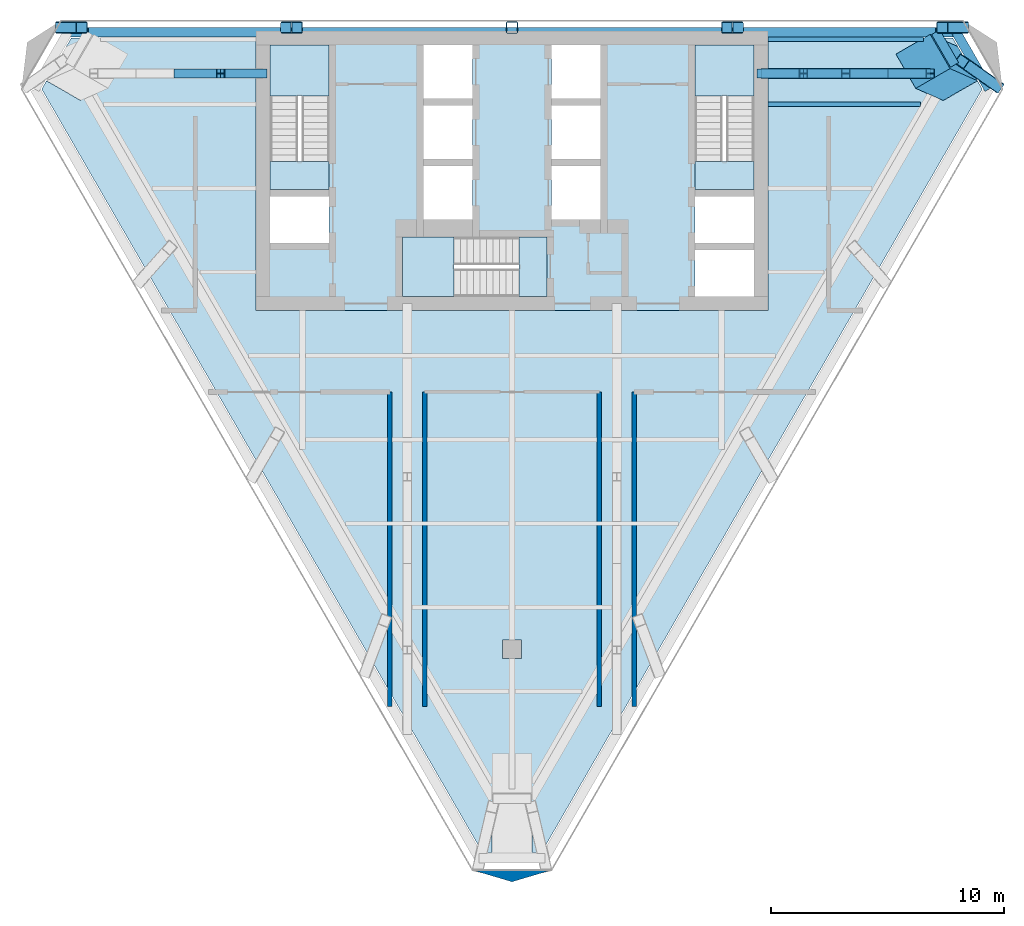
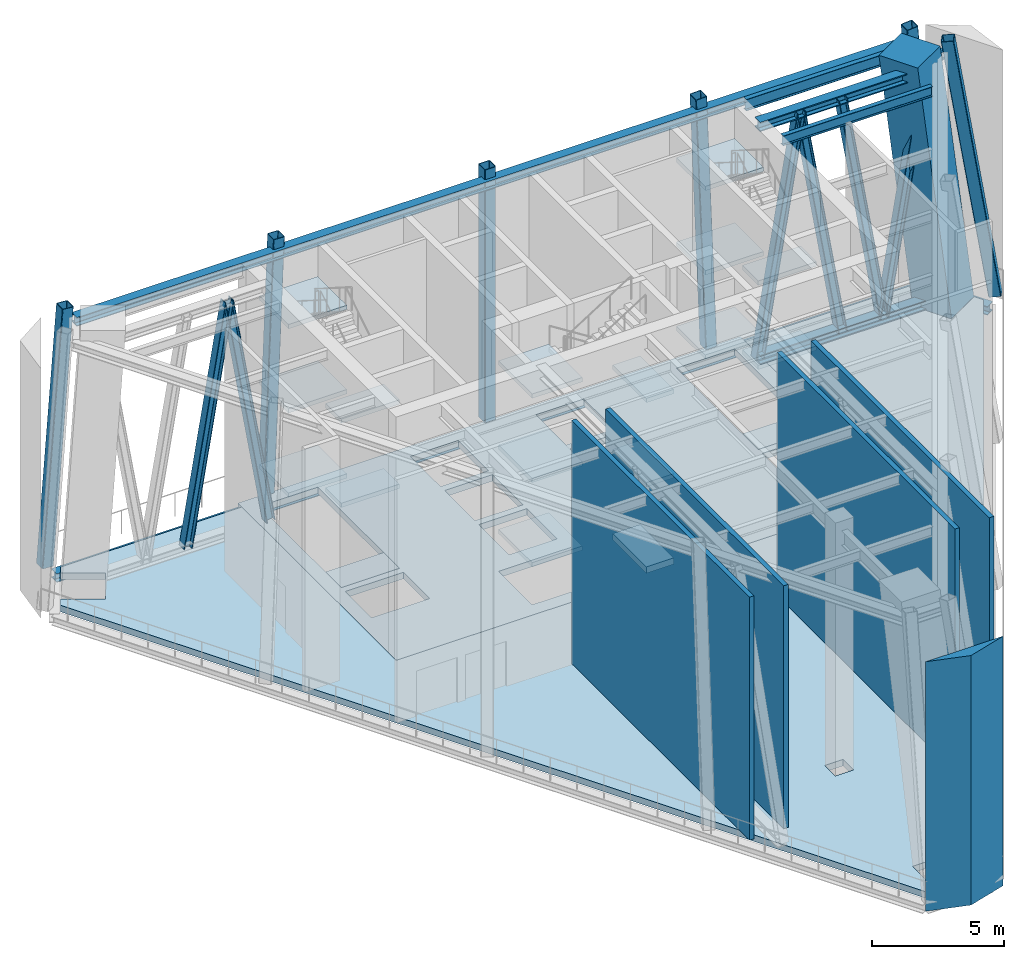
# One storey, part 2 of 11: 20 slabs, 13 members, 8 beams, 5 walls, 3 elements without a shape of their own.
"""IFC4 building model written with IfcOpenShell, lengths in metres."""

import ifcopenshell
import ifcopenshell.guid

model = None  # the IFC model being written
_history = None  # IfcOwnerHistory: only IFC2X3 demands one
_inside = {}  # id of a spatial element -> (the spatial element, [elements in it])
_under = {}  # id of a project, library or spatial element -> (it, [spatial elements below it])
_declared = {}  # id of a project -> (the project, [libraries it declares])
_typed = {}  # id of a type object -> (the type object, [elements of that type])
_made_of = {}  # id of a material, layer set ... -> (it, [elements and type objects made of it])


def new_model(schema):
    """Start an empty IFC model of exactly this schema.

    Asked for "IFC4X3", IfcOpenShell would pick the latest addendum, in which some entities
    have other attributes; the version numbers below select the first issue.
    IFC2X3 requires an IfcOwnerHistory on every rooted entity: one is made here for all.
    """
    global model, _history
    if schema == "IFC4X3":
        model = ifcopenshell.file(schema_version=(4, 3, 0, 0))
    else:
        model = ifcopenshell.file(schema=schema)
    _inside.clear()
    _under.clear()
    _declared.clear()
    _typed.clear()
    _made_of.clear()
    _history = None
    if model.schema == "IFC2X3":
        org = make("IfcOrganization", Name="unknown")
        user = make(
            "IfcPersonAndOrganization",
            ThePerson=make("IfcPerson", FamilyName="unknown"),
            TheOrganization=org,
        )
        app = make(
            "IfcApplication",
            ApplicationDeveloper=org,
            Version="unknown",
            ApplicationFullName="unknown",
            ApplicationIdentifier="unknown",
        )
        _history = make(
            "IfcOwnerHistory",
            OwningUser=user,
            OwningApplication=app,
            ChangeAction="ADDED",
            CreationDate=0,
        )
    return model


def make(cls, **values):
    """One entity of the class cls with the attributes given. An attribute that is None is left unset."""
    return model.create_entity(
        cls, **{name: value for name, value in values.items() if value is not None}
    )


def rooted(cls, **values):
    """An entity with a GlobalId (a new one), such as an element, a storey or a relation."""
    return make(cls, GlobalId=ifcopenshell.guid.new(), OwnerHistory=_history, **values)


def si_unit(unit_type, name, prefix=None):
    """IfcSIUnit, for example si_unit("LENGTHUNIT", "METRE", prefix="MILLI")."""
    return make("IfcSIUnit", UnitType=unit_type, Prefix=prefix, Name=name)


def assignment(units):
    """IfcUnitAssignment: the units of a project."""
    return None if units is None else make("IfcUnitAssignment", Units=units)


def point(xyz):
    """IfcCartesianPoint."""
    return None if xyz is None else make("IfcCartesianPoint", Coordinates=xyz)


def direction(xyz):
    """IfcDirection."""
    return None if xyz is None else make("IfcDirection", DirectionRatios=xyz)


def frame(location, z_axis=None, x_axis=None):
    """IfcAxis2Placement3D, a coordinate frame: its origin and axes. An axis left out is left unset."""
    return make(
        "IfcAxis2Placement3D",
        Location=point(location),
        Axis=direction(z_axis),
        RefDirection=direction(x_axis),
    )


def frame_2d(location, x_axis=None):
    """IfcAxis2Placement2D, a coordinate frame in the plane: its origin and x axis."""
    return make(
        "IfcAxis2Placement2D", Location=point(location), RefDirection=direction(x_axis)
    )


def origin():
    """The frame at (0, 0, 0) with its axes left unset."""
    return frame((0.0, 0.0, 0.0))


def origin_2d():
    """The frame at (0, 0) in the plane with its x axis left unset."""
    return frame_2d((0.0, 0.0))


def place(relative_to, where):
    """IfcLocalPlacement: puts the frame where relative to a parent placement (None: the world)."""
    return make(
        "IfcLocalPlacement", PlacementRelTo=relative_to, RelativePlacement=where
    )


def context(
    kind, dimensions, precision=None, world=None, true_north=None, identifier=None
):
    """IfcGeometricRepresentationContext, for example the 3D "Model" context."""
    return make(
        "IfcGeometricRepresentationContext",
        ContextIdentifier=identifier,
        ContextType=kind,
        CoordinateSpaceDimension=dimensions,
        Precision=precision,
        WorldCoordinateSystem=world,
        TrueNorth=true_north,
    )


def subcontext(parent, identifier, kind, view, scale=None):
    """IfcGeometricRepresentationSubContext, for example "Body" below "Model"."""
    return make(
        "IfcGeometricRepresentationSubContext",
        ContextIdentifier=identifier,
        ContextType=kind,
        ParentContext=parent,
        TargetScale=scale,
        TargetView=view,
    )


def project(units=None, contexts=None):
    """IfcProject with its units and contexts."""
    return rooted(
        "IfcProject",
        Name="project",
        RepresentationContexts=contexts,
        UnitsInContext=assignment(units),
    )


def spatial(cls, under=None, at=None, **own):
    """A site, building, storey or space (cls), placed at a placement, below another one or the project."""
    s = rooted(cls, ObjectPlacement=at, **own)
    if under is not None:
        _under.setdefault(under.id(), (under, []))[1].append(s)
    return s


def polyline(points):
    """IfcPolyline through the points."""
    return make("IfcPolyline", Points=[point(p) for p in points])


def profile(cls, at=None, kind="AREA", **sizes):
    """A parametric profile (cls). Its sizes go by their IFC names, for example OverallWidth=200.0."""
    return make(cls, ProfileType=kind, Position=at, **sizes)


def rectangle(**sizes):
    """IfcRectangleProfileDef."""
    return profile("IfcRectangleProfileDef", **sizes)


def hollow_rectangle(**sizes):
    """IfcRectangleHollowProfileDef."""
    return profile("IfcRectangleHollowProfileDef", **sizes)


def i_section(**sizes):
    """IfcIShapeProfileDef."""
    return profile("IfcIShapeProfileDef", **sizes)


def outline(outer, holes=None, kind="AREA"):
    """IfcArbitraryClosedProfileDef: a profile drawn as a closed curve; with holes, ...WithVoids."""
    if holes is None:
        return make("IfcArbitraryClosedProfileDef", ProfileType=kind, OuterCurve=outer)
    return make(
        "IfcArbitraryProfileDefWithVoids",
        ProfileType=kind,
        OuterCurve=outer,
        InnerCurves=holes,
    )


def extrude(swept, where, along, depth):
    """IfcExtrudedAreaSolid: the profile swept, set in the frame where, extruded along a direction by depth."""
    return make(
        "IfcExtrudedAreaSolid",
        SweptArea=swept,
        Position=where,
        ExtrudedDirection=direction(along),
        Depth=depth,
    )


def shape(context_of_items, identifier, shape_type, items):
    """IfcShapeRepresentation: the items that make up one representation, for example the "Body"."""
    return make(
        "IfcShapeRepresentation",
        ContextOfItems=context_of_items,
        RepresentationIdentifier=identifier,
        RepresentationType=shape_type,
        Items=items,
    )


def material(Name=None, Category=None):
    """IfcMaterial."""
    return make("IfcMaterial", Name=Name, Category=Category)


def layer(
    of_material, thickness, ventilated=None, Name=None, Category=None, Priority=None
):
    """IfcMaterialLayer: one layer of a wall or slab, of a material (None: an air gap)."""
    return make(
        "IfcMaterialLayer",
        Material=of_material,
        LayerThickness=thickness,
        IsVentilated=ventilated,
        Name=Name,
        Category=Category,
        Priority=Priority,
    )


def layer_set(layers, Name=None):
    """IfcMaterialLayerSet."""
    return make("IfcMaterialLayerSet", MaterialLayers=layers, LayerSetName=Name)


def material_profile(
    of_material, cross_section, Name=None, Category=None, Priority=None
):
    """IfcMaterialProfile: a cross section and its material."""
    return make(
        "IfcMaterialProfile",
        Name=Name,
        Material=of_material,
        Profile=cross_section,
        Priority=Priority,
        Category=Category,
    )


def profile_set(profiles, Name=None, composite=None):
    """IfcMaterialProfileSet."""
    return make(
        "IfcMaterialProfileSet",
        Name=Name,
        MaterialProfiles=profiles,
        CompositeProfile=composite,
    )


def made_of(thing, what):
    """Note that an element or type object is made of a material, layer set ...; save() writes the relation."""
    if what is not None:
        _made_of.setdefault(what.id(), (what, []))[1].append(thing)
    return thing


def type_object(cls, material=None, **own):
    """A type object (cls), such as IfcWallType, which elements share."""
    return made_of(rooted(cls, **own), material)


def element(
    cls,
    number,
    at=None,
    inside=None,
    cuts=None,
    type_object=None,
    material=None,
    context=None,
    identifier="Body",
    shape_type=None,
    held_by="IfcProductDefinitionShape",
    body=None,
    shapes=None,
    **own,
):
    """One element of the class cls, such as IfcWall. Its Tag is "e" and its number.

    at: its placement. inside: the storey or other place that contains it. cuts: it is an
    opening in that element (IfcRelVoidsElement). A single representation is given by context,
    identifier, shape_type and body (its items); several are given by shapes. held_by: the class
    of the entity that holds the representations. save() writes the other relations.
    """
    e = rooted(cls, Tag="e%d" % number, ObjectPlacement=at, **own)
    if body is not None:
        shapes = [shape(context, identifier, shape_type, body)]
    if shapes is not None:
        e.Representation = make(held_by, Representations=shapes)
    if inside is not None:
        _inside.setdefault(inside.id(), (inside, []))[1].append(e)
    if cuts is not None:
        rooted(
            "IfcRelVoidsElement", RelatingBuildingElement=cuts, RelatedOpeningElement=e
        )
    if type_object is not None:
        _typed.setdefault(type_object.id(), (type_object, []))[1].append(e)
    return made_of(e, material)


def aggregate(whole, parts):
    """IfcRelAggregates: a whole, such as a stair, and the parts it consists of."""
    return rooted("IfcRelAggregates", RelatingObject=whole, RelatedObjects=parts)


def save(model, path):
    """Write the relations noted so far, then the file.

    IfcRelAggregates (storeys below a building ...), IfcRelContainedInSpatialStructure (elements
    in a storey), IfcRelDefinesByType, IfcRelAssociatesMaterial and IfcRelDeclares: one each for
    every whole, place, type object, material and project.
    """
    for whole, parts in _under.values():
        aggregate(whole, parts)
    for where, things in _inside.values():
        rooted(
            "IfcRelContainedInSpatialStructure",
            RelatedElements=things,
            RelatingStructure=where,
        )
    for kind, things in _typed.values():
        rooted("IfcRelDefinesByType", RelatedObjects=things, RelatingType=kind)
    for what, things in _made_of.values():
        rooted("IfcRelAssociatesMaterial", RelatedObjects=things, RelatingMaterial=what)
    for by, libraries in _declared.values():
        rooted("IfcRelDeclares", RelatingContext=by, RelatedDefinitions=libraries)
    model.write(path)


model = new_model("IFC4")

# Units and contexts
model_context = context("Model", 3, precision=1e-05, world=origin(), true_north=direction((0.0, 1.0)))
body_context = subcontext(model_context, "Body", "Model", "MODEL_VIEW")
ifc_project = project(units=[si_unit("LENGTHUNIT", "METRE"), si_unit("AREAUNIT", "SQUARE_METRE"), si_unit("VOLUMEUNIT", "CUBIC_METRE"), si_unit("PLANEANGLEUNIT", "RADIAN"), si_unit("MASSUNIT", "GRAM", prefix="KILO")], contexts=[model_context])

# Site, building, storey
site_placement = place(None, origin())
site = spatial("IfcSite", under=ifc_project, at=site_placement, CompositionType="ELEMENT")
building_placement = place(site_placement, origin())
building = spatial("IfcBuilding", under=site, at=building_placement, Name="Aloe Facet Convention Tower", CompositionType="ELEMENT")
storey_placement = place(building_placement, frame((0.0, 0.0, 227.0)))
storey = spatial("IfcBuildingStorey", under=building, at=storey_placement, Name="L57", CompositionType="ELEMENT", Elevation=227.0)

# Beams
ifc_material_1 = material(Name="Steel S355", Category="steel")
ifc_material_profile_1 = material_profile(ifc_material_1, i_section(OverallWidth=0.19140625, OverallDepth=0.4599609375, WebThickness=0.010009765625, FlangeThickness=0.01611328125, FilletRadius=0.01025390625, at=origin_2d()), Name="UB 457x191x82")
ifc_profile_set_1 = profile_set([ifc_material_profile_1], Name="Steel S355")
beam_type_1 = type_object("IfcBeamType", Name="SF-B-UB457x191x82", PredefinedType="BEAM", material=ifc_profile_set_1)
beam_1_placement = place(storey_placement, frame((91.0, 131.39990234375, 11.02001953125), z_axis=(1.0, 0.0, 0.0), x_axis=(0.0, 1.0, 0.0)))
element("IfcBeam", 1, at=beam_1_placement, inside=storey, type_object=beam_type_1, Name="Floor beam FB-Z5A-026", PredefinedType="BEAM", context=body_context, shape_type="SweptSolid", body=[
    extrude(i_section(OverallWidth=0.19140625, OverallDepth=0.4599609375, WebThickness=0.010009765625, FlangeThickness=0.01611328125, FilletRadius=0.01025390625, at=origin_2d()), origin(), (0.0, 0.0, 1.0), 6.547607421875),
])
ifc_material_2 = material(Name="Steel S355", Category="steel")
ifc_material_profile_2 = material_profile(ifc_material_2, i_section(OverallWidth=0.209228515625, OverallDepth=0.533203125, WebThickness=0.010009765625, FlangeThickness=0.015625, FilletRadius=0.0126953125, at=origin_2d()), Name="UB 533x210x92")
ifc_profile_set_2 = profile_set([ifc_material_profile_2], Name="Steel S355")
beam_type_2 = type_object("IfcBeamType", Name="SF-B-UB533x210x92", PredefinedType="BEAM", material=ifc_profile_set_2)
beam_2_placement = place(storey_placement, frame((91.0, 134.1953125, 10.9833984375), z_axis=(1.0, 0.0, 0.0), x_axis=(0.0, 1.0, 0.0)))
element("IfcBeam", 2, at=beam_2_placement, inside=storey, type_object=beam_type_2, Name="Floor beam FB-Z5A-003", PredefinedType="BEAM", context=body_context, shape_type="SweptSolid", body=[
    extrude(i_section(OverallWidth=0.209228515625, OverallDepth=0.533203125, WebThickness=0.010009765625, FlangeThickness=0.015625, FilletRadius=0.0126953125, at=origin_2d()), origin(), (0.0, 0.0, 1.0), 6.67236328125),
])
ifc_material_3 = material(Name="Steel S355", Category="steel")
ifc_material_profile_3 = material_profile(ifc_material_3, i_section(OverallWidth=0.403076171875, OverallDepth=0.406494140625, WebThickness=0.0205078125, FlangeThickness=0.032958984375, FilletRadius=0.01513671875, at=origin_2d()), Name="UC 356x406x340")
ifc_profile_set_3 = profile_set([ifc_material_profile_3], Name="Steel S355")
beam_type_3 = type_object("IfcBeamType", Name="STW-BC-L57", PredefinedType="BEAM", material=ifc_profile_set_3)
beam_3_placement = place(storey_placement, frame((99.075927734375, 134.5, -0.503173828125), z_axis=(0.499999465141, -0.866025712585, 0.0), x_axis=(0.866025712585, 0.499999465141, 0.0)))
element("IfcBeam", 3, at=beam_3_placement, inside=storey, type_object=beam_type_3, Name="Belt chord BC-L57-L-01", PredefinedType="BEAM", context=body_context, shape_type="SweptSolid", body=[
    extrude(i_section(OverallWidth=0.403076171875, OverallDepth=0.406494140625, WebThickness=0.0205078125, FlangeThickness=0.032958984375, FilletRadius=0.01513671875, at=origin_2d()), origin(), (0.0, 0.0, 1.0), 2.82275390625),
])
beam_4_placement = place(storey_placement, frame((60.924072265625, 134.5, -0.503173828125), z_axis=(1.0, 0.0, 0.0), x_axis=(0.0, 1.0, 0.0)))
element("IfcBeam", 4, at=beam_4_placement, inside=storey, type_object=beam_type_3, Name="Belt chord BC-L57-L-06", PredefinedType="BEAM", context=body_context, shape_type="SweptSolid", body=[
    extrude(i_section(OverallWidth=0.403076171875, OverallDepth=0.406494140625, WebThickness=0.0205078125, FlangeThickness=0.032958984375, FilletRadius=0.01513671875, at=origin_2d()), origin(), (0.0, 0.0, 1.0), 38.15185546875),
])
beam_5_placement = place(storey_placement, frame((98.197509765625, 134.5, 11.046875), z_axis=(0.499974254476, -0.866040267459, 0.0), x_axis=(0.866040267459, 0.499974254476, 0.0)))
element("IfcBeam", 5, at=beam_5_placement, inside=storey, type_object=beam_type_3, Name="Belt chord BC-L57-U-01", PredefinedType="BEAM", context=body_context, shape_type="SweptSolid", body=[
    extrude(i_section(OverallWidth=0.403076171875, OverallDepth=0.406494140625, WebThickness=0.0205078125, FlangeThickness=0.032958984375, FilletRadius=0.01513671875, at=origin_2d()), origin(), (0.0, 0.0, 1.0), 1.62255859375),
])
beam_6_placement = place(storey_placement, frame((61.802490234375, 134.5, 11.046875), z_axis=(1.0, 0.0, 0.0), x_axis=(0.0, 1.0, 0.0)))
element("IfcBeam", 6, at=beam_6_placement, inside=storey, type_object=beam_type_3, Name="Belt chord BC-L57-U-06", PredefinedType="BEAM", context=body_context, shape_type="SweptSolid", body=[
    extrude(i_section(OverallWidth=0.403076171875, OverallDepth=0.406494140625, WebThickness=0.0205078125, FlangeThickness=0.032958984375, FilletRadius=0.01513671875, at=origin_2d()), origin(), (0.0, 0.0, 1.0), 36.39501953125),
])

# Members
ifc_material_4 = material(Name="Steel S355", Category="steel")
ifc_material_profile_4 = material_profile(ifc_material_4, hollow_rectangle(XDim=0.5, YDim=0.5, WallThickness=0.02490234375, InnerFilletRadius=0.02490234375, OuterFilletRadius=0.050048828125, at=origin_2d()), Name="SHS 500x500x25")
ifc_profile_set_4 = profile_set([ifc_material_profile_4], Name="Steel S355")
member_type_1 = type_object("IfcMemberType", Name="STW-BW-L57", PredefinedType="BRACE", material=ifc_profile_set_4)
member_1_placement = place(storey_placement, frame((99.364501953125, 134.699951171875, 0.0), z_axis=(-0.074868059752, 0.0, 0.997193448449), x_axis=(0.0, -1.0, 0.0)))
element("IfcMember", 7, at=member_1_placement, inside=storey, type_object=member_type_1, Name="Belt web BW-L57-F1-01", PredefinedType="BRACE", context=body_context, shape_type="SweptSolid", body=[
    extrude(hollow_rectangle(XDim=0.5, YDim=0.5, WallThickness=0.02490234375, InnerFilletRadius=0.02490234375, OuterFilletRadius=0.050048828125, at=origin_2d()), origin(), (0.0, 0.0, 1.0), 11.73291015625),
])
member_2_placement = place(storey_placement, frame((89.682373046875, 134.699951171875, 0.0), z_axis=(-0.037512963666, 0.0, 0.99929614107), x_axis=(0.0, -1.0, 0.0)))
element("IfcMember", 8, at=member_2_placement, inside=storey, type_object=member_type_1, Name="Belt web BW-L57-F1-02", PredefinedType="BRACE", context=body_context, shape_type="SweptSolid", body=[
    extrude(hollow_rectangle(XDim=0.5, YDim=0.5, WallThickness=0.02490234375, InnerFilletRadius=0.02490234375, OuterFilletRadius=0.050048828125, at=origin_2d()), origin(), (0.0, 0.0, 1.0), 11.708251953125),
])
member_3_placement = place(storey_placement, frame((80.0, 134.699951171875, 0.0), z_axis=(0.0, 0.0, 1.0), x_axis=(1.0, 0.0, 0.0)))
element("IfcMember", 9, at=member_3_placement, inside=storey, type_object=member_type_1, Name="Belt web BW-L57-F1-03", PredefinedType="BRACE", context=body_context, shape_type="SweptSolid", body=[
    extrude(hollow_rectangle(XDim=0.5, YDim=0.5, WallThickness=0.02490234375, InnerFilletRadius=0.02490234375, OuterFilletRadius=0.050048828125, at=origin_2d()), origin(), (0.0, 0.0, 1.0), 11.699951171875),
])
member_4_placement = place(storey_placement, frame((70.317626953125, 134.699951171875, 0.0), z_axis=(0.037512963666, 0.0, 0.99929614107), x_axis=(0.0, 1.0, 0.0)))
element("IfcMember", 10, at=member_4_placement, inside=storey, type_object=member_type_1, Name="Belt web BW-L57-F1-04", PredefinedType="BRACE", context=body_context, shape_type="SweptSolid", body=[
    extrude(hollow_rectangle(XDim=0.5, YDim=0.5, WallThickness=0.02490234375, InnerFilletRadius=0.02490234375, OuterFilletRadius=0.050048828125, at=origin_2d()), origin(), (0.0, 0.0, 1.0), 11.708251953125),
])
member_5_placement = place(storey_placement, frame((60.635498046875, 134.699951171875, 0.0), z_axis=(0.074868059752, 0.0, 0.997193448449), x_axis=(0.0, 1.0, 0.0)))
element("IfcMember", 11, at=member_5_placement, inside=storey, type_object=member_type_1, Name="Belt web BW-L57-F1-05", PredefinedType="BRACE", context=body_context, shape_type="SweptSolid", body=[
    extrude(hollow_rectangle(XDim=0.5, YDim=0.5, WallThickness=0.02490234375, InnerFilletRadius=0.02490234375, OuterFilletRadius=0.050048828125, at=origin_2d()), origin(), (0.0, 0.0, 1.0), 11.73291015625),
])
member_6_placement = place(storey_placement, frame((100.8046875, 132.20556640625, 0.0), z_axis=(-0.124868176268, 0.08776861407, 0.988283668255), x_axis=(-0.575048186148, -0.818119541148, 0.0)))
element("IfcMember", 12, at=member_6_placement, inside=storey, type_object=member_type_1, Name="Belt web BW-L57-F3-05", PredefinedType="BRACE", context=body_context, shape_type="SweptSolid", body=[
    extrude(hollow_rectangle(XDim=0.5, YDim=0.5, WallThickness=0.02490234375, InnerFilletRadius=0.02490234375, OuterFilletRadius=0.050048828125, at=origin_2d()), origin(), (0.0, 0.0, 1.0), 11.838623046875),
])
ifc_material_5 = material(Name="Concrete C80/95", Category="concrete")
ifc_material_profile_5 = material_profile(ifc_material_5, rectangle(XDim=1.699951171875, YDim=1.699951171875, at=origin_2d()), Name="STW-MJ-Z4")
ifc_profile_set_5 = profile_set([ifc_material_profile_5], Name="Concrete C80/95")
member_type_2 = type_object("IfcMemberType", Name="STW-MJ-Z4", PredefinedType="STRUT", material=ifc_profile_set_5)
member_7_placement = place(storey_placement, frame((98.828857421875, 132.727783203125, 0.0), z_axis=(0.0, 0.0, 1.0), x_axis=(-0.5, 0.866025403784, 0.0)))
element("IfcMember", 13, at=member_7_placement, inside=storey, type_object=member_type_2, Name="Transfer jog MC-NE-L57", PredefinedType="STRUT", context=body_context, shape_type="SweptSolid", body=[
    extrude(rectangle(XDim=1.699951171875, YDim=1.699951171875, at=origin_2d()), origin(), (0.08827406926, 0.064619072245, 0.993998020219), 11.7705078125),
])

# Beams
ifc_material_6 = material(Name="Steel S355", Category="steel")
ifc_material_profile_6 = material_profile(ifc_material_6, i_section(OverallWidth=0.412109375, OverallDepth=0.4365234375, WebThickness=0.035888671875, FlangeThickness=0.048095703125, FilletRadius=0.01513671875, at=origin_2d()), Name="UC 356x406x467")
ifc_profile_set_6 = profile_set([ifc_material_profile_6], Name="Steel S355")
beam_type_4 = type_object("IfcBeamType", Name="STW-OC-L57", PredefinedType="BEAM", material=ifc_profile_set_6)
for number, where, z_axis, x_axis, name in (
    (14, (90.699951171875, 132.727783203125, 0.248291015625), (1.0, 0.0, 0.0), (0.0, 1.0, 0.0), "Outrigger chord OR-L57-NE-B"),
    (15, (90.699951171875, 132.727783203125, 11.03173828125), (1.0, 0.0, 0.0), (0.0, 1.0, 0.0), "Outrigger chord OR-L57-NE-T"),
):
    element("IfcBeam", number, at=place(storey_placement, frame(where, z_axis=z_axis, x_axis=x_axis)), inside=storey, type_object=beam_type_4, Name=name, PredefinedType="BEAM", context=body_context, shape_type="SweptSolid", body=[
        extrude(i_section(OverallWidth=0.412109375, OverallDepth=0.4365234375, WebThickness=0.035888671875, FlangeThickness=0.048095703125, FilletRadius=0.01513671875, at=origin_2d()), origin(), (0.0, 0.0, 1.0), 7.267822265625),
    ])

# Members
ifc_material_7 = material(Name="Steel S355", Category="steel")
ifc_material_profile_7 = material_profile(ifc_material_7, i_section(OverallWidth=0.374755859375, OverallDepth=0.37451171875, WebThickness=0.0166015625, FlangeThickness=0.027099609375, FilletRadius=0.01513671875, at=origin_2d()), Name="UC 356x368x202")
ifc_profile_set_7 = profile_set([ifc_material_profile_7], Name="Steel S355")
member_type_3 = type_object("IfcMemberType", Name="STW-OD-L57", PredefinedType="BRACE", material=ifc_profile_set_7)
for number, where, z_axis, x_axis, name in (
    (16, (90.699951171875, 132.727783203125, 0.248291015625), (0.166147369187, 0.0, 0.986100933836), (0.0, 1.0, 0.0), "Outrigger diagonal OR-L57-NE-D01"),
    (17, (92.516845703125, 132.727783203125, 11.03173828125), (0.166169078402, 0.0, -0.986097275822), (0.0, 1.0, 0.0), "Outrigger diagonal OR-L57-NE-D02"),
    (18, (94.333984375, 132.727783203125, 11.03173828125), (0.166147369187, 0.0, -0.986100933836), (0.0, 1.0, 0.0), "Outrigger diagonal OR-L57-NE-D03"),
    (19, (96.15087890625, 132.727783203125, 0.248291015625), (0.166147369187, 0.0, 0.986100933836), (0.0, 1.0, 0.0), "Outrigger diagonal OR-L57-NE-D04"),
    (20, (69.300048828125, 132.727783203125, 0.248291015625), (-0.166147369187, 0.0, 0.986100933836), (0.0, -1.0, 0.0), "Outrigger diagonal OR-L57-NW-D01"),
    (21, (67.483154296875, 132.727783203125, 11.03173828125), (-0.166169078402, 0.0, -0.986097275822), (0.0, -1.0, 0.0), "Outrigger diagonal OR-L57-NW-D02"),
):
    element("IfcMember", number, at=place(storey_placement, frame(where, z_axis=z_axis, x_axis=x_axis)), inside=storey, type_object=member_type_3, Name=name, PredefinedType="BRACE", context=body_context, shape_type="SweptSolid", body=[
        extrude(i_section(OverallWidth=0.374755859375, OverallDepth=0.37451171875, WebThickness=0.0166015625, FlangeThickness=0.027099609375, FilletRadius=0.01513671875, at=origin_2d()), origin(), (0.0, 0.0, 1.0), 10.935546875),
    ])

# Slabs
ifc_material_8 = material(Name="Concrete C50/60", Category="concrete")
ifc_layer_1 = layer(ifc_material_8, 0.300048828125)
ifc_layer_set_1 = layer_set([ifc_layer_1], Name="CR-S-FLOOR300-C5060")
slab_type_1 = type_object("IfcSlabType", Name="CR-S-FLOOR300-C5060", PredefinedType="FLOOR", material=ifc_layer_set_1)
slab_1_placement = place(storey_placement, frame((0.0, 0.0, -0.300048828125)))
element("IfcSlab", 22, at=slab_1_placement, inside=storey, type_object=slab_type_1, Name="Stair landing floor L57", PredefinedType="FLOOR", context=body_context, shape_type="SweptSolid", body=[
    extrude(outline(polyline([(72.14990234375, 127.75), (72.14990234375, 128.951171875), (69.60009765625, 128.951171875), (69.60009765625, 127.75), (72.14990234375, 127.75)])), origin(), (0.0, 0.0, 1.0), 0.300048828125),
])
slab_2_placement = place(storey_placement, frame((0.0, 0.0, -0.300048828125)))
element("IfcSlab", 23, at=slab_2_placement, inside=storey, type_object=slab_type_1, Name="Stair landing floor L57", PredefinedType="FLOOR", context=body_context, shape_type="SweptSolid", body=[
    extrude(outline(polyline([(90.39990234375, 127.75), (90.39990234375, 128.951171875), (87.85009765625, 128.951171875), (87.85009765625, 127.75), (90.39990234375, 127.75)])), origin(), (0.0, 0.0, 1.0), 0.300048828125),
])
slab_3_placement = place(storey_placement, frame((0.0, 0.0, -0.300048828125)))
element("IfcSlab", 24, at=slab_3_placement, inside=storey, type_object=slab_type_1, Name="Stair landing floor L57", PredefinedType="FLOOR", context=body_context, shape_type="SweptSolid", body=[
    extrude(outline(polyline([(81.5, 125.699951171875), (80.298828125, 125.699951171875), (80.298828125, 123.14990234375), (81.5, 123.14990234375), (81.5, 125.699951171875)])), origin(), (0.0, 0.0, 1.0), 0.300048828125),
])
slab_4_placement = place(storey_placement, frame((0.0, 0.0, -0.300048828125)))
element("IfcSlab", 25, at=slab_4_placement, inside=storey, type_object=slab_type_1, Name="Core floor L57", PredefinedType="FLOOR", context=body_context, shape_type="SweptSolid", body=[
    extrude(outline(polyline([(71.85009765625, 134.550048828125), (72.75, 134.550048828125), (75.60009765625, 134.550048828125), (76.5, 134.550048828125), (78.0, 134.550048828125), (78.89990234375, 134.550048828125), (81.10009765625, 134.550048828125), (82.0, 134.550048828125), (83.5, 134.550048828125), (84.39990234375, 134.550048828125), (87.25, 134.550048828125), (88.14990234375, 134.550048828125), (91.0, 134.550048828125), (91.0, 128.050048828125), (91.0, 127.14990234375), (91.0, 125.75), (91.0, 124.85009765625), (91.0, 122.550048828125), (88.14990234375, 122.550048828125), (87.25, 122.550048828125), (85.300048828125, 122.550048828125), (84.39990234375, 122.550048828125), (82.10009765625, 122.550048828125), (81.199951171875, 122.550048828125), (75.60009765625, 122.550048828125), (74.699951171875, 122.550048828125), (72.75, 122.550048828125), (71.85009765625, 122.550048828125), (69.0, 122.550048828125), (69.0, 124.85009765625), (69.0, 125.75), (69.0, 127.14990234375), (69.0, 128.050048828125), (69.0, 134.550048828125), (71.85009765625, 134.550048828125)]), holes=[polyline([(80.298828125, 123.14990234375), (81.5, 123.14990234375), (81.5, 125.699951171875), (80.298828125, 125.699951171875), (75.300048828125, 125.699951171875), (75.300048828125, 123.14990234375), (80.298828125, 123.14990234375)]), polyline([(69.60009765625, 125.449951171875), (72.14990234375, 125.449951171875), (72.14990234375, 127.449951171875), (69.60009765625, 127.449951171875), (69.60009765625, 125.449951171875)]), polyline([(76.199951171875, 126.449951171875), (78.300048828125, 126.449951171875), (78.300048828125, 128.75), (76.199951171875, 128.75), (76.199951171875, 126.449951171875)]), polyline([(78.300048828125, 129.050048828125), (78.300048828125, 131.35009765625), (76.199951171875, 131.35009765625), (76.199951171875, 129.050048828125), (78.300048828125, 129.050048828125)]), polyline([(69.60009765625, 133.949951171875), (69.60009765625, 128.951171875), (69.60009765625, 127.75), (72.14990234375, 127.75), (72.14990234375, 128.951171875), (72.14990234375, 133.949951171875), (69.60009765625, 133.949951171875)]), polyline([(76.199951171875, 131.64990234375), (78.300048828125, 131.64990234375), (78.300048828125, 133.949951171875), (76.199951171875, 133.949951171875), (76.199951171875, 131.64990234375)]), polyline([(90.39990234375, 123.14990234375), (90.39990234375, 125.14990234375), (87.85009765625, 125.14990234375), (87.85009765625, 123.14990234375), (90.39990234375, 123.14990234375)]), polyline([(87.85009765625, 125.449951171875), (90.39990234375, 125.449951171875), (90.39990234375, 127.449951171875), (87.85009765625, 127.449951171875), (87.85009765625, 125.449951171875)]), polyline([(81.699951171875, 126.449951171875), (83.800048828125, 126.449951171875), (83.800048828125, 128.75), (81.699951171875, 128.75), (81.699951171875, 126.449951171875)]), polyline([(83.800048828125, 129.050048828125), (83.800048828125, 131.35009765625), (81.699951171875, 131.35009765625), (81.699951171875, 129.050048828125), (83.800048828125, 129.050048828125)]), polyline([(87.85009765625, 133.949951171875), (87.85009765625, 128.951171875), (87.85009765625, 127.75), (90.39990234375, 127.75), (90.39990234375, 128.951171875), (90.39990234375, 133.949951171875), (87.85009765625, 133.949951171875)]), polyline([(81.699951171875, 131.64990234375), (83.800048828125, 131.64990234375), (83.800048828125, 133.949951171875), (81.699951171875, 133.949951171875), (81.699951171875, 131.64990234375)])]), origin(), (0.0, 0.0, 1.0), 0.300048828125),
])

# Stair, slabs
ifc_material_9 = material(Name="Concrete C50/60", Category="concrete")
stair_type = type_object("IfcStairType", Name="CR-ST-66R", PredefinedType="HALF_TURN_STAIR", material=ifc_material_9)
stair_1_placement = place(storey_placement, origin())
stair_1 = element("IfcStair", 26, at=stair_1_placement, inside=storey, type_object=stair_type, Name="L57 Protected exit stair ST1", PredefinedType="HALF_TURN_STAIR")
ifc_material_10 = material(Name="Concrete C50/60", Category="concrete")
ifc_layer_2 = layer(ifc_material_10, 0.199951171875)
ifc_layer_set_2 = layer_set([ifc_layer_2], Name="CR-SL-LANDING")
slab_type_2 = type_object("IfcSlabType", Name="CR-SL-LANDING", PredefinedType="LANDING", material=ifc_layer_set_2)
slab_5_placement = place(storey_placement, frame((0.0, 0.0, 1.75)))
slab_5 = element("IfcSlab", 27, at=slab_5_placement, type_object=slab_type_2, Name="ST1 landing 1", PredefinedType="LANDING", context=body_context, shape_type="SweptSolid", body=[
    extrude(outline(polyline([(72.14990234375, 131.75), (72.14990234375, 133.949951171875), (69.60009765625, 133.949951171875), (69.60009765625, 131.75), (72.14990234375, 131.75)])), origin(), (0.0, 0.0, 1.0), 0.199951171875),
])
slab_6_placement = place(storey_placement, frame((0.0, 0.0, 3.699951171875)))
slab_6 = element("IfcSlab", 28, at=slab_6_placement, type_object=slab_type_2, Name="ST1 landing 2", PredefinedType="LANDING", context=body_context, shape_type="SweptSolid", body=[
    extrude(outline(polyline([(72.14990234375, 127.75), (72.14990234375, 128.949951171875), (69.60009765625, 128.949951171875), (69.60009765625, 127.75), (72.14990234375, 127.75)])), origin(), (0.0, 0.0, 1.0), 0.199951171875),
])
slab_7_placement = place(storey_placement, frame((0.0, 0.0, 5.64990234375)))
slab_7 = element("IfcSlab", 29, at=slab_7_placement, type_object=slab_type_2, Name="ST1 landing 3", PredefinedType="LANDING", context=body_context, shape_type="SweptSolid", body=[
    extrude(outline(polyline([(72.14990234375, 131.75), (72.14990234375, 133.949951171875), (69.60009765625, 133.949951171875), (69.60009765625, 131.75), (72.14990234375, 131.75)])), origin(), (0.0, 0.0, 1.0), 0.2001953125),
])
slab_8_placement = place(storey_placement, frame((0.0, 0.0, 7.60009765625)))
slab_8 = element("IfcSlab", 30, at=slab_8_placement, type_object=slab_type_2, Name="ST1 landing 4", PredefinedType="LANDING", context=body_context, shape_type="SweptSolid", body=[
    extrude(outline(polyline([(72.14990234375, 127.75), (72.14990234375, 128.949951171875), (69.60009765625, 128.949951171875), (69.60009765625, 127.75), (72.14990234375, 127.75)])), origin(), (0.0, 0.0, 1.0), 0.199951171875),
])
slab_9_placement = place(storey_placement, frame((0.0, 0.0, 9.550048828125)))
slab_9 = element("IfcSlab", 31, at=slab_9_placement, type_object=slab_type_2, Name="ST1 landing 5", PredefinedType="LANDING", context=body_context, shape_type="SweptSolid", body=[
    extrude(outline(polyline([(72.14990234375, 131.75), (72.14990234375, 133.949951171875), (69.60009765625, 133.949951171875), (69.60009765625, 131.75), (72.14990234375, 131.75)])), origin(), (0.0, 0.0, 1.0), 0.199951171875),
])
aggregate(stair_1, [slab_5, slab_6, slab_7, slab_8, slab_9])

stair_2_placement = place(storey_placement, origin())
stair_2 = element("IfcStair", 32, at=stair_2_placement, inside=storey, type_object=stair_type, Name="L57 Protected exit stair ST2", PredefinedType="HALF_TURN_STAIR")
slab_10_placement = place(storey_placement, frame((0.0, 0.0, 1.75)))
slab_10 = element("IfcSlab", 33, at=slab_10_placement, type_object=slab_type_2, Name="ST2 landing 1", PredefinedType="LANDING", context=body_context, shape_type="SweptSolid", body=[
    extrude(outline(polyline([(90.39990234375, 131.75), (90.39990234375, 133.949951171875), (87.85009765625, 133.949951171875), (87.85009765625, 131.75), (90.39990234375, 131.75)])), origin(), (0.0, 0.0, 1.0), 0.199951171875),
])
slab_11_placement = place(storey_placement, frame((0.0, 0.0, 3.699951171875)))
slab_11 = element("IfcSlab", 34, at=slab_11_placement, type_object=slab_type_2, Name="ST2 landing 2", PredefinedType="LANDING", context=body_context, shape_type="SweptSolid", body=[
    extrude(outline(polyline([(90.39990234375, 127.75), (90.39990234375, 128.949951171875), (87.85009765625, 128.949951171875), (87.85009765625, 127.75), (90.39990234375, 127.75)])), origin(), (0.0, 0.0, 1.0), 0.199951171875),
])
slab_12_placement = place(storey_placement, frame((0.0, 0.0, 5.64990234375)))
slab_12 = element("IfcSlab", 35, at=slab_12_placement, type_object=slab_type_2, Name="ST2 landing 3", PredefinedType="LANDING", context=body_context, shape_type="SweptSolid", body=[
    extrude(outline(polyline([(90.39990234375, 131.75), (90.39990234375, 133.949951171875), (87.85009765625, 133.949951171875), (87.85009765625, 131.75), (90.39990234375, 131.75)])), origin(), (0.0, 0.0, 1.0), 0.2001953125),
])
slab_13_placement = place(storey_placement, frame((0.0, 0.0, 7.60009765625)))
slab_13 = element("IfcSlab", 36, at=slab_13_placement, type_object=slab_type_2, Name="ST2 landing 4", PredefinedType="LANDING", context=body_context, shape_type="SweptSolid", body=[
    extrude(outline(polyline([(90.39990234375, 127.75), (90.39990234375, 128.949951171875), (87.85009765625, 128.949951171875), (87.85009765625, 127.75), (90.39990234375, 127.75)])), origin(), (0.0, 0.0, 1.0), 0.199951171875),
])
slab_14_placement = place(storey_placement, frame((0.0, 0.0, 9.550048828125)))
slab_14 = element("IfcSlab", 37, at=slab_14_placement, type_object=slab_type_2, Name="ST2 landing 5", PredefinedType="LANDING", context=body_context, shape_type="SweptSolid", body=[
    extrude(outline(polyline([(90.39990234375, 131.75), (90.39990234375, 133.949951171875), (87.85009765625, 133.949951171875), (87.85009765625, 131.75), (90.39990234375, 131.75)])), origin(), (0.0, 0.0, 1.0), 0.199951171875),
])
aggregate(stair_2, [slab_10, slab_11, slab_12, slab_13, slab_14])

stair_3_placement = place(storey_placement, origin())
stair_3 = element("IfcStair", 38, at=stair_3_placement, inside=storey, type_object=stair_type, Name="L57 Protected exit stair ST3", PredefinedType="HALF_TURN_STAIR")
slab_15_placement = place(storey_placement, frame((0.0, 0.0, 1.75)))
slab_15 = element("IfcSlab", 39, at=slab_15_placement, type_object=slab_type_2, Name="ST3 landing 1", PredefinedType="LANDING", context=body_context, shape_type="SweptSolid", body=[
    extrude(outline(polyline([(77.5, 125.699951171875), (75.300048828125, 125.699951171875), (75.300048828125, 123.14990234375), (77.5, 123.14990234375), (77.5, 125.699951171875)])), origin(), (0.0, 0.0, 1.0), 0.199951171875),
])
slab_16_placement = place(storey_placement, frame((0.0, 0.0, 3.699951171875)))
slab_16 = element("IfcSlab", 40, at=slab_16_placement, type_object=slab_type_2, Name="ST3 landing 2", PredefinedType="LANDING", context=body_context, shape_type="SweptSolid", body=[
    extrude(outline(polyline([(81.5, 125.699951171875), (80.300048828125, 125.699951171875), (80.300048828125, 123.14990234375), (81.5, 123.14990234375), (81.5, 125.699951171875)])), origin(), (0.0, 0.0, 1.0), 0.199951171875),
])
slab_17_placement = place(storey_placement, frame((0.0, 0.0, 5.64990234375)))
slab_17 = element("IfcSlab", 41, at=slab_17_placement, type_object=slab_type_2, Name="ST3 landing 3", PredefinedType="LANDING", context=body_context, shape_type="SweptSolid", body=[
    extrude(outline(polyline([(77.5, 125.699951171875), (75.300048828125, 125.699951171875), (75.300048828125, 123.14990234375), (77.5, 123.14990234375), (77.5, 125.699951171875)])), origin(), (0.0, 0.0, 1.0), 0.2001953125),
])
slab_18_placement = place(storey_placement, frame((0.0, 0.0, 7.60009765625)))
slab_18 = element("IfcSlab", 42, at=slab_18_placement, type_object=slab_type_2, Name="ST3 landing 4", PredefinedType="LANDING", context=body_context, shape_type="SweptSolid", body=[
    extrude(outline(polyline([(81.5, 125.699951171875), (80.300048828125, 125.699951171875), (80.300048828125, 123.14990234375), (81.5, 123.14990234375), (81.5, 125.699951171875)])), origin(), (0.0, 0.0, 1.0), 0.199951171875),
])
slab_19_placement = place(storey_placement, frame((0.0, 0.0, 9.550048828125)))
slab_19 = element("IfcSlab", 43, at=slab_19_placement, type_object=slab_type_2, Name="ST3 landing 5", PredefinedType="LANDING", context=body_context, shape_type="SweptSolid", body=[
    extrude(outline(polyline([(77.5, 125.699951171875), (75.300048828125, 125.699951171875), (75.300048828125, 123.14990234375), (77.5, 123.14990234375), (77.5, 125.699951171875)])), origin(), (0.0, 0.0, 1.0), 0.199951171875),
])
aggregate(stair_3, [slab_15, slab_16, slab_17, slab_18, slab_19])

# Slab
ifc_material_11 = material(Name="Concrete C35/45", Category="concrete")
ifc_layer_3 = layer(ifc_material_11, 0.300048828125)
ifc_layer_set_3 = layer_set([ifc_layer_3], Name="SF-FS-300")
slab_type_3 = type_object("IfcSlabType", Name="SF-FS-300", PredefinedType="FLOOR", material=ifc_layer_set_3)
slab_20_placement = place(storey_placement, frame((0.0, 0.0, -0.300048828125)))
element("IfcSlab", 44, at=slab_20_placement, inside=storey, type_object=slab_type_3, Name="Floor slab L57-1", PredefinedType="FLOOR", context=body_context, shape_type="SweptSolid", body=[
    extrude(outline(polyline([(80.85009765625, 99.264892578125), (80.85009765625, 100.965087890625), (79.14990234375, 100.965087890625), (79.14990234375, 99.264892578125), (78.73291015625, 99.264892578125), (59.801513671875, 132.055419921875), (60.00830078125, 132.4140625), (61.483154296875, 131.5625), (62.336181640625, 133.0400390625), (60.861328125, 133.8916015625), (61.068359375, 134.25), (69.0, 134.25), (69.0, 128.050048828125), (69.0, 127.14990234375), (69.0, 125.75), (69.0, 124.85009765625), (69.0, 122.550048828125), (71.85009765625, 122.550048828125), (72.75, 122.550048828125), (74.699951171875, 122.550048828125), (75.60009765625, 122.550048828125), (81.199951171875, 122.550048828125), (82.10009765625, 122.550048828125), (84.39990234375, 122.550048828125), (85.300048828125, 122.550048828125), (87.25, 122.550048828125), (88.14990234375, 122.550048828125), (91.0, 122.550048828125), (91.0, 124.85009765625), (91.0, 125.75), (91.0, 127.14990234375), (91.0, 128.050048828125), (91.0, 134.25), (98.931640625, 134.25), (99.138671875, 133.8916015625), (97.663818359375, 133.0400390625), (98.516845703125, 131.5625), (99.99169921875, 132.4140625), (100.198486328125, 132.055419921875), (81.26708984375, 99.264892578125), (80.85009765625, 99.264892578125)]), holes=[polyline([(79.60009765625, 107.60009765625), (80.39990234375, 107.60009765625), (80.39990234375, 108.39990234375), (79.60009765625, 108.39990234375), (79.60009765625, 107.60009765625)])]), origin(), (0.0, 0.0, 1.0), 0.300048828125),
])

# Walls
ifc_material_12 = material(Name="Precast concrete C40/50", Category="concrete")
ifc_layer_4 = layer(ifc_material_12, 3.947998046875)
ifc_layer_set_4 = layer_set([ifc_layer_4], Name="EV-WALL-SPINE")
wall_type_1 = type_object("IfcWallType", Name="EV-WALL-SPINE", PredefinedType="SOLIDWALL", material=ifc_layer_set_4)
wall_placement = place(storey_placement, frame((0.0, 0.0, -0.300048828125)))
element("IfcWall", 45, at=wall_placement, inside=storey, type_object=wall_type_1, Name="SP-S-L57", PredefinedType="SOLIDWALL", context=body_context, shape_type="SweptSolid", body=[
    extrude(outline(polyline([(78.300048828125, 98.514892578125), (80.0, 98.00927734375), (81.699951171875, 98.514892578125), (78.300048828125, 98.514892578125)])), origin(), (0.0, 0.0, 1.0), 11.550048828125),
])
ifc_material_13 = material(Name="Masonry blockwork wall, plastered", Category="masonry")
ifc_layer_5 = layer(ifc_material_13, 0.199951171875)
ifc_layer_set_5 = layer_set([ifc_layer_5], Name="IN-POD-W-PLANT")
wall_type_2 = type_object("IfcWallType", Name="IN-POD-W-PLANT", PredefinedType="PARTITIONING", material=ifc_layer_set_5)
for number, where, z_axis, x_axis, name in (
    (46, (74.75, 105.550048828125, 0.0), (0.0, 0.0, 1.0), (0.0, 1.0, 0.0), "Partition L57-X01"),
    (47, (76.25, 105.550048828125, 0.0), (0.0, 0.0, 1.0), (0.0, 1.0, 0.0), "Partition L57-X02"),
    (48, (83.75, 105.550048828125, 0.0), (0.0, 0.0, 1.0), (0.0, 1.0, 0.0), "Partition L57-X03"),
    (49, (85.25, 105.550048828125, 0.0), (0.0, 0.0, 1.0), (0.0, 1.0, 0.0), "Partition L57-X04"),
):
    element("IfcWall", number, at=place(storey_placement, frame(where, z_axis=z_axis, x_axis=x_axis)), inside=storey, type_object=wall_type_2, Name=name, PredefinedType="PARTITIONING", context=body_context, shape_type="SweptSolid", body=[
        extrude(rectangle(XDim=13.5, YDim=0.199951171875, at=frame_2d((6.75, 0.0))), origin(), (0.0, 0.0, 1.0), 11.25),
    ])

save(model, "model.ifc")
